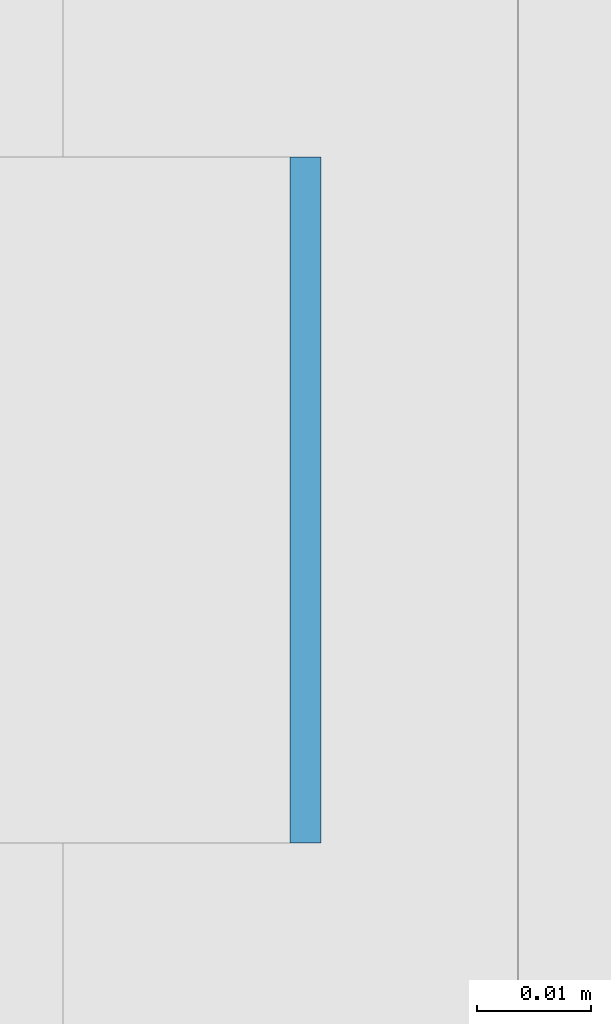
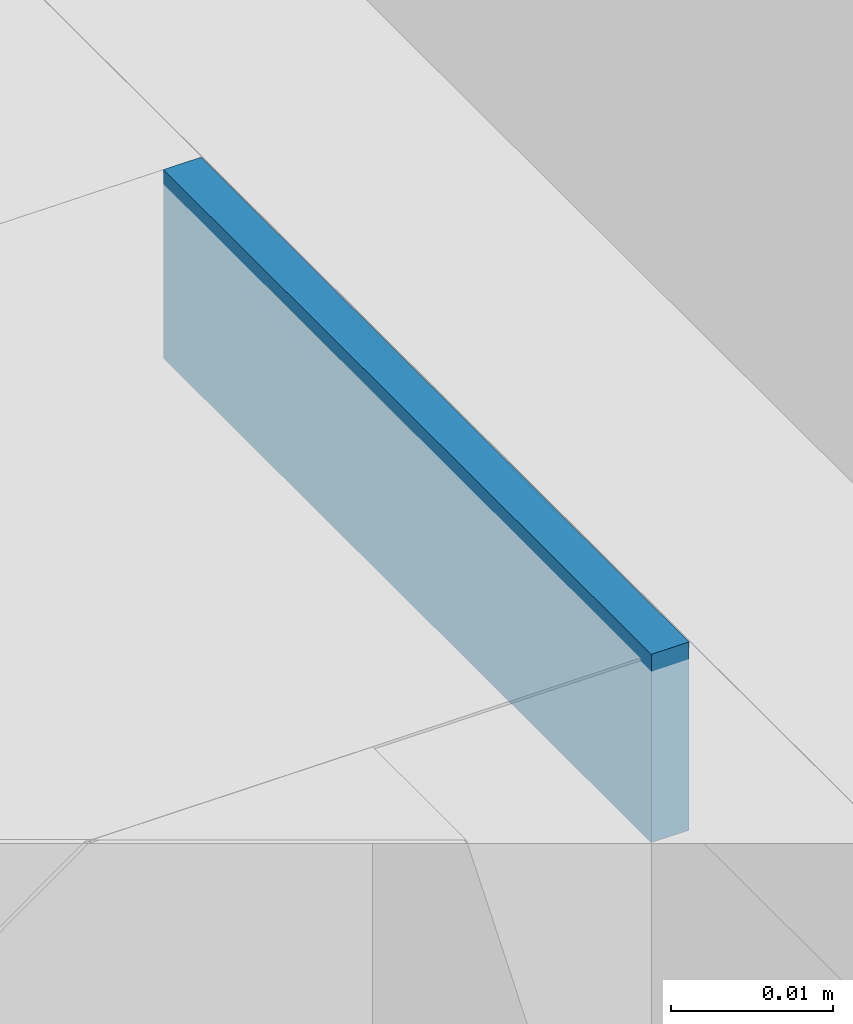
# One storey, part 325 of 646: 1 discrete accessory.
"""IFC4 building model written with IfcOpenShell, lengths in metres."""

import ifcopenshell
import ifcopenshell.guid

model = None  # the IFC model being written
_history = None  # IfcOwnerHistory: only IFC2X3 demands one
_inside = {}  # id of a spatial element -> (the spatial element, [elements in it])
_under = {}  # id of a project, library or spatial element -> (it, [spatial elements below it])
_declared = {}  # id of a project -> (the project, [libraries it declares])
_typed = {}  # id of a type object -> (the type object, [elements of that type])
_made_of = {}  # id of a material, layer set ... -> (it, [elements and type objects made of it])


def new_model(schema):
    """Start an empty IFC model of exactly this schema.

    Asked for "IFC4X3", IfcOpenShell would pick the latest addendum, in which some entities
    have other attributes; the version numbers below select the first issue.
    IFC2X3 requires an IfcOwnerHistory on every rooted entity: one is made here for all.
    """
    global model, _history
    if schema == "IFC4X3":
        model = ifcopenshell.file(schema_version=(4, 3, 0, 0))
    else:
        model = ifcopenshell.file(schema=schema)
    _inside.clear()
    _under.clear()
    _declared.clear()
    _typed.clear()
    _made_of.clear()
    _history = None
    if model.schema == "IFC2X3":
        org = make("IfcOrganization", Name="unknown")
        user = make(
            "IfcPersonAndOrganization",
            ThePerson=make("IfcPerson", FamilyName="unknown"),
            TheOrganization=org,
        )
        app = make(
            "IfcApplication",
            ApplicationDeveloper=org,
            Version="unknown",
            ApplicationFullName="unknown",
            ApplicationIdentifier="unknown",
        )
        _history = make(
            "IfcOwnerHistory",
            OwningUser=user,
            OwningApplication=app,
            ChangeAction="ADDED",
            CreationDate=0,
        )
    return model


def make(cls, **values):
    """One entity of the class cls with the attributes given. An attribute that is None is left unset."""
    return model.create_entity(
        cls, **{name: value for name, value in values.items() if value is not None}
    )


def rooted(cls, **values):
    """An entity with a GlobalId (a new one), such as an element, a storey or a relation."""
    return make(cls, GlobalId=ifcopenshell.guid.new(), OwnerHistory=_history, **values)


def si_unit(unit_type, name, prefix=None):
    """IfcSIUnit, for example si_unit("LENGTHUNIT", "METRE", prefix="MILLI")."""
    return make("IfcSIUnit", UnitType=unit_type, Prefix=prefix, Name=name)


def assignment(units):
    """IfcUnitAssignment: the units of a project."""
    return None if units is None else make("IfcUnitAssignment", Units=units)


def point(xyz):
    """IfcCartesianPoint."""
    return None if xyz is None else make("IfcCartesianPoint", Coordinates=xyz)


def direction(xyz):
    """IfcDirection."""
    return None if xyz is None else make("IfcDirection", DirectionRatios=xyz)


def frame(location, z_axis=None, x_axis=None):
    """IfcAxis2Placement3D, a coordinate frame: its origin and axes. An axis left out is left unset."""
    return make(
        "IfcAxis2Placement3D",
        Location=point(location),
        Axis=direction(z_axis),
        RefDirection=direction(x_axis),
    )


def frame_2d(location, x_axis=None):
    """IfcAxis2Placement2D, a coordinate frame in the plane: its origin and x axis."""
    return make(
        "IfcAxis2Placement2D", Location=point(location), RefDirection=direction(x_axis)
    )


def origin():
    """The frame at (0, 0, 0) with its axes left unset."""
    return frame((0.0, 0.0, 0.0))


def origin_2d():
    """The frame at (0, 0) in the plane with its x axis left unset."""
    return frame_2d((0.0, 0.0))


def place(relative_to, where):
    """IfcLocalPlacement: puts the frame where relative to a parent placement (None: the world)."""
    return make(
        "IfcLocalPlacement", PlacementRelTo=relative_to, RelativePlacement=where
    )


def context(
    kind, dimensions, precision=None, world=None, true_north=None, identifier=None
):
    """IfcGeometricRepresentationContext, for example the 3D "Model" context."""
    return make(
        "IfcGeometricRepresentationContext",
        ContextIdentifier=identifier,
        ContextType=kind,
        CoordinateSpaceDimension=dimensions,
        Precision=precision,
        WorldCoordinateSystem=world,
        TrueNorth=true_north,
    )


def subcontext(parent, identifier, kind, view, scale=None):
    """IfcGeometricRepresentationSubContext, for example "Body" below "Model"."""
    return make(
        "IfcGeometricRepresentationSubContext",
        ContextIdentifier=identifier,
        ContextType=kind,
        ParentContext=parent,
        TargetScale=scale,
        TargetView=view,
    )


def project(units=None, contexts=None):
    """IfcProject with its units and contexts."""
    return rooted(
        "IfcProject",
        Name="project",
        RepresentationContexts=contexts,
        UnitsInContext=assignment(units),
    )


def spatial(cls, under=None, at=None, **own):
    """A site, building, storey or space (cls), placed at a placement, below another one or the project."""
    s = rooted(cls, ObjectPlacement=at, **own)
    if under is not None:
        _under.setdefault(under.id(), (under, []))[1].append(s)
    return s


def profile(cls, at=None, kind="AREA", **sizes):
    """A parametric profile (cls). Its sizes go by their IFC names, for example OverallWidth=200.0."""
    return make(cls, ProfileType=kind, Position=at, **sizes)


def rectangle(**sizes):
    """IfcRectangleProfileDef."""
    return profile("IfcRectangleProfileDef", **sizes)


def extrude(swept, where, along, depth):
    """IfcExtrudedAreaSolid: the profile swept, set in the frame where, extruded along a direction by depth."""
    return make(
        "IfcExtrudedAreaSolid",
        SweptArea=swept,
        Position=where,
        ExtrudedDirection=direction(along),
        Depth=depth,
    )


def shape(context_of_items, identifier, shape_type, items):
    """IfcShapeRepresentation: the items that make up one representation, for example the "Body"."""
    return make(
        "IfcShapeRepresentation",
        ContextOfItems=context_of_items,
        RepresentationIdentifier=identifier,
        RepresentationType=shape_type,
        Items=items,
    )


def material(Name=None, Category=None):
    """IfcMaterial."""
    return make("IfcMaterial", Name=Name, Category=Category)


def made_of(thing, what):
    """Note that an element or type object is made of a material, layer set ...; save() writes the relation."""
    if what is not None:
        _made_of.setdefault(what.id(), (what, []))[1].append(thing)
    return thing


def type_object(cls, material=None, **own):
    """A type object (cls), such as IfcWallType, which elements share."""
    return made_of(rooted(cls, **own), material)


def element(
    cls,
    number,
    at=None,
    inside=None,
    cuts=None,
    type_object=None,
    material=None,
    context=None,
    identifier="Body",
    shape_type=None,
    held_by="IfcProductDefinitionShape",
    body=None,
    shapes=None,
    **own,
):
    """One element of the class cls, such as IfcWall. Its Tag is "e" and its number.

    at: its placement. inside: the storey or other place that contains it. cuts: it is an
    opening in that element (IfcRelVoidsElement). A single representation is given by context,
    identifier, shape_type and body (its items); several are given by shapes. held_by: the class
    of the entity that holds the representations. save() writes the other relations.
    """
    e = rooted(cls, Tag="e%d" % number, ObjectPlacement=at, **own)
    if body is not None:
        shapes = [shape(context, identifier, shape_type, body)]
    if shapes is not None:
        e.Representation = make(held_by, Representations=shapes)
    if inside is not None:
        _inside.setdefault(inside.id(), (inside, []))[1].append(e)
    if cuts is not None:
        rooted(
            "IfcRelVoidsElement", RelatingBuildingElement=cuts, RelatedOpeningElement=e
        )
    if type_object is not None:
        _typed.setdefault(type_object.id(), (type_object, []))[1].append(e)
    return made_of(e, material)


def aggregate(whole, parts):
    """IfcRelAggregates: a whole, such as a stair, and the parts it consists of."""
    return rooted("IfcRelAggregates", RelatingObject=whole, RelatedObjects=parts)


def save(model, path):
    """Write the relations noted so far, then the file.

    IfcRelAggregates (storeys below a building ...), IfcRelContainedInSpatialStructure (elements
    in a storey), IfcRelDefinesByType, IfcRelAssociatesMaterial and IfcRelDeclares: one each for
    every whole, place, type object, material and project.
    """
    for whole, parts in _under.values():
        aggregate(whole, parts)
    for where, things in _inside.values():
        rooted(
            "IfcRelContainedInSpatialStructure",
            RelatedElements=things,
            RelatingStructure=where,
        )
    for kind, things in _typed.values():
        rooted("IfcRelDefinesByType", RelatedObjects=things, RelatingType=kind)
    for what, things in _made_of.values():
        rooted("IfcRelAssociatesMaterial", RelatedObjects=things, RelatingMaterial=what)
    for by, libraries in _declared.values():
        rooted("IfcRelDeclares", RelatingContext=by, RelatedDefinitions=libraries)
    model.write(path)


model = new_model("IFC4")

# Units and contexts
model_context = context("Model", 3, precision=1e-05, world=origin(), true_north=direction((0.0, 1.0)))
body_context = subcontext(model_context, "Body", "Model", "MODEL_VIEW")
ifc_project = project(units=[si_unit("LENGTHUNIT", "METRE"), si_unit("AREAUNIT", "SQUARE_METRE"), si_unit("VOLUMEUNIT", "CUBIC_METRE"), si_unit("PLANEANGLEUNIT", "RADIAN"), si_unit("MASSUNIT", "GRAM", prefix="KILO")], contexts=[model_context])

# Site, building, storey
site_placement = place(None, origin())
site = spatial("IfcSite", under=ifc_project, at=site_placement, CompositionType="ELEMENT")
building_placement = place(site_placement, origin())
building = spatial("IfcBuilding", under=site, at=building_placement, Name="Silverbay Arena", CompositionType="ELEMENT")
storey_placement = place(building_placement, frame((0.0, 0.0, 33.5)))
storey = spatial("IfcBuildingStorey", under=building, at=storey_placement, Name="L05", CompositionType="ELEMENT", Elevation=33.5)

# Discrete accessory
ifc_material = material(Name="Steel S355", Category="steel")
discrete_accessory_type = type_object("IfcDiscreteAccessoryType", Name="Steel bracket plate", PredefinedType="BRACKET", material=ifc_material)
discrete_accessory_placement = place(storey_placement, frame((53.871337890625, 77.142822265625, 12.98583984375), z_axis=(0.0, 0.0, 1.0), x_axis=(1.0, 0.0, 0.0)))
element("IfcDiscreteAccessory", 1, at=discrete_accessory_placement, inside=storey, type_object=discrete_accessory_type, Name="Curtain wall packing plate", PredefinedType="BRACKET", context=body_context, shape_type="SweptSolid", body=[
    extrude(rectangle(XDim=0.002685546875, YDim=0.06005859375, at=origin_2d()), origin(), (0.0, 0.0, 1.0), 0.01416015625),
])

save(model, "model.ifc")
